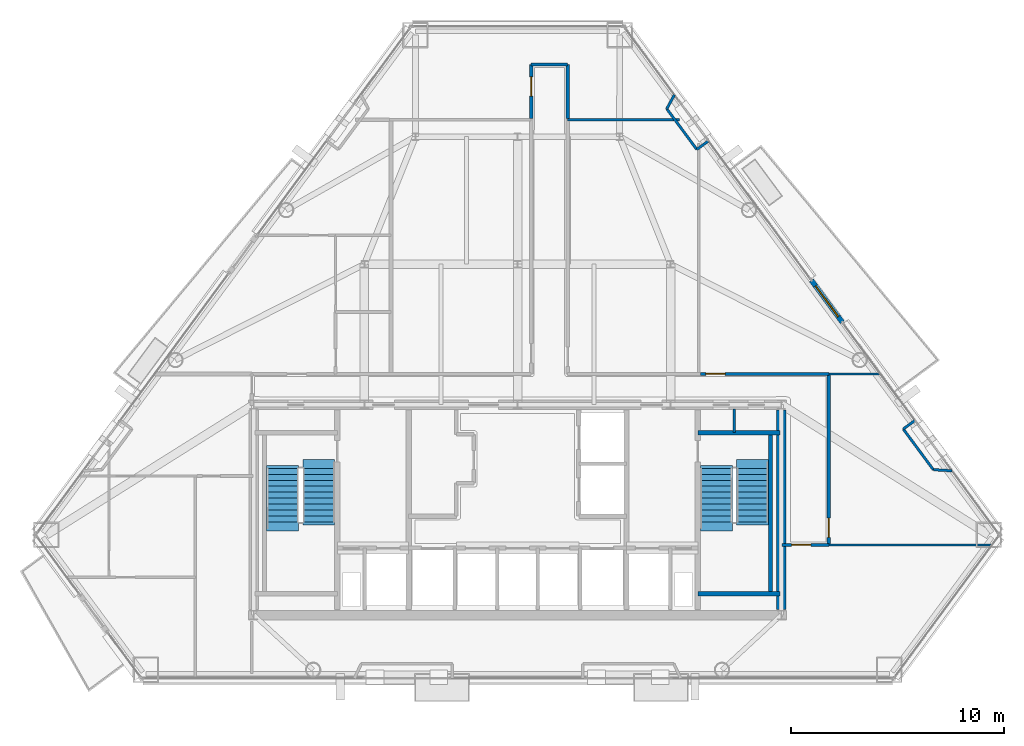
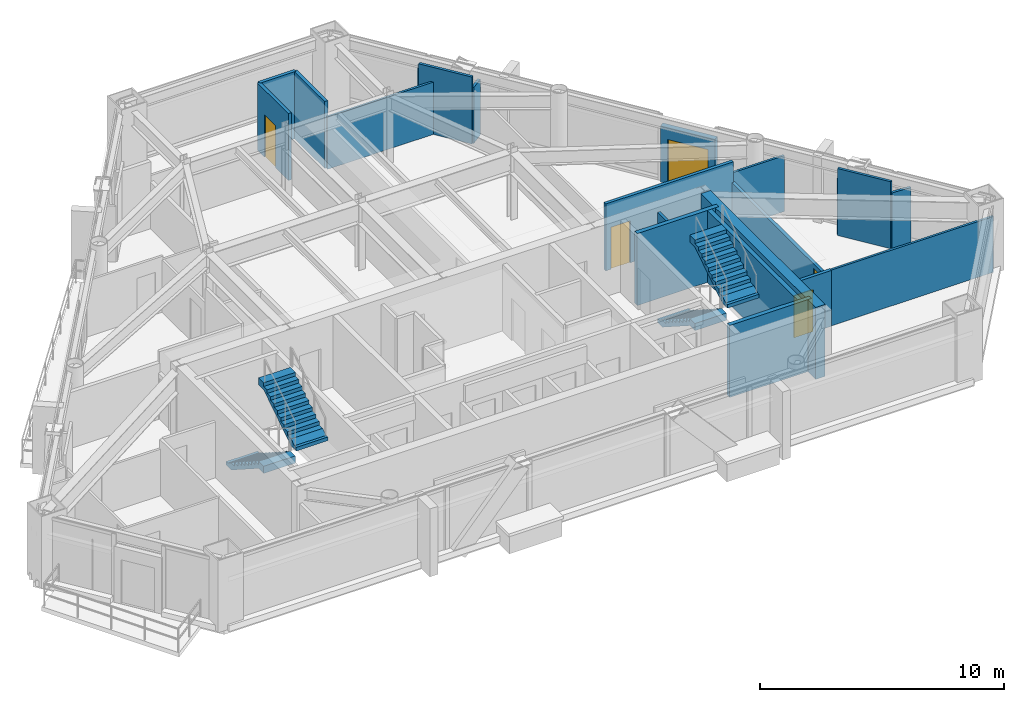
# One storey, part 9 of 11: 21 walls, 5 doors, 4 stair flights, 5 openings, 2 elements without a shape of their own.
"""IFC4 building model written with IfcOpenShell, lengths in metres."""

from ifc_helpers import new_model, si_unit, direction, frame, frame_2d, origin, place, context, subcontext, project, spatial, polyline, rectangle, outline, extrude, material, layer, layer_set, type_object, element, fill, aggregate, save


model = new_model("IFC4")

# Units and contexts
model_context = context("Model", 3, precision=1e-05, world=origin(), true_north=direction((0.0, 1.0)))
body_context = subcontext(model_context, "Body", "Model", "MODEL_VIEW")
ifc_project = project(units=[si_unit("LENGTHUNIT", "METRE"), si_unit("AREAUNIT", "SQUARE_METRE"), si_unit("VOLUMEUNIT", "CUBIC_METRE"), si_unit("PLANEANGLEUNIT", "RADIAN"), si_unit("MASSUNIT", "GRAM", prefix="KILO")], contexts=[model_context])

# Site, building, storey
site_placement = place(None, origin())
site = spatial("IfcSite", under=ifc_project, at=site_placement, CompositionType="ELEMENT")
building_placement = place(site_placement, origin())
building = spatial("IfcBuilding", under=site, at=building_placement, Name="Talgorran Terracotta Tower", CompositionType="ELEMENT")
storey_placement = place(building_placement, frame((0.0, 0.0, 143.699951171875)))
storey = spatial("IfcBuildingStorey", under=building, at=storey_placement, Name="L37", CompositionType="ELEMENT", Elevation=143.699951171875)

# Wall, opening, door
ifc_material_1 = material(Name="Concrete C40/50", Category="concrete")
ifc_layer_1 = layer(ifc_material_1, 0.239990234375, Name="WT_BALCONY_SPAND")
ifc_layer_set_1 = layer_set([ifc_layer_1], Name="Concrete C40/50")
wall_type_1 = type_object("IfcWallType", Name="WT_BALCONY_SPAND", PredefinedType="STANDARD", material=ifc_layer_set_1)
wall_1_placement = place(storey_placement, frame((15.27490234375, -0.323974609375, -0.014892578125), z_axis=(0.0, 0.0, 1.0), x_axis=(-0.594092829232, 0.804396488216, 0.0)))
wall_1 = element("IfcWall", 1, at=wall_1_placement, inside=storey, type_object=wall_type_1, Name="WL-L37-BALP-BAL-NE", PredefinedType="STANDARD", context=body_context, shape_type="SweptSolid", body=[
    extrude(rectangle(XDim=2.440185546875, YDim=0.239990234375, at=frame_2d((1.22021484375, 0.0))), origin(), (0.0, 0.0, 1.0), 2.806884765625),
])
opening_1_placement = place(wall_1_placement, frame((0.320068359375, 0.0, 0.014892578125)))
opening_1 = element("IfcOpeningElement", 2, at=opening_1_placement, cuts=wall_1, Name="Opening D-BAL-L37-1", PredefinedType="OPENING", context=body_context, shape_type="SweptSolid", body=[
    extrude(rectangle(XDim=1.806048828125, YDim=2.203951171875, at=frame_2d((0.89990234375, 1.10205078125))), frame((0.0, 0.1298828125, 0.0), z_axis=(0.0, -1.0, 0.0), x_axis=(1.0, 0.0, 0.0)), (0.0, 0.0, 1.0), 0.260009765625),
])
ifc_material_2 = material(Name="Thermally Broken Aluminium", Category="aluminium")
door_type_1 = type_object("IfcDoorType", Name="DT_BALC_1800", OperationType="SLIDING_TO_LEFT", PredefinedType="DOOR", material=ifc_material_2)
door_1_placement = place(opening_1_placement, origin())
door_1 = element("IfcDoor", 3, at=door_1_placement, inside=storey, type_object=door_type_1, Name="DR-L37-BAL-BAL-NE", OperationType="SLIDING_TO_LEFT", OverallHeight=2.199951171875, OverallWidth=1.800048828125, PredefinedType="DOOR", context=body_context, shape_type="SweptSolid", body=[
    extrude(rectangle(XDim=1.800048828125, YDim=2.199951171875, at=frame_2d((0.89990234375, 1.10009765625))), frame((0.0, 0.02490234375, 0.0), z_axis=(0.0, -1.0, 0.0), x_axis=(1.0, 0.0, 0.0)), (0.0, 0.0, 1.0), 0.050048828125),
])
fill(opening_1, door_1)

# Walls
ifc_material_3 = material(Name="Concrete C50/60", Category="concrete")
ifc_layer_2 = layer(ifc_material_3, 0.199951171875, Name="WT_CORE_200")
ifc_layer_set_2 = layer_set([ifc_layer_2], Name="Concrete C50/60")
wall_type_2 = type_object("IfcWallType", Name="WT_CORE_200", PredefinedType="SOLIDWALL", material=ifc_layer_set_2)
for number, where, z_axis, x_axis, name in (
    (4, (8.47998046875, -5.52001953125, 0.0), (0.0, 0.0, 1.0), (1.0, 0.0, 0.0), "WL-L37-CW-ST2-N"),
    (5, (8.47998046875, -13.10009765625, 0.0), (0.0, 0.0, 1.0), (1.0, 0.0, 0.0), "WL-L37-CW-ST2-S"),
):
    element("IfcWall", number, at=place(storey_placement, frame(where, z_axis=z_axis, x_axis=x_axis)), inside=storey, type_object=wall_type_2, Name=name, PredefinedType="SOLIDWALL", context=body_context, shape_type="SweptSolid", body=[
        extrude(rectangle(XDim=3.8701171875, YDim=0.199951171875, at=frame_2d((1.93505859375, 0.0))), origin(), (0.0, 0.0, 1.0), 3.60009765625),
    ])
wall_2_placement = place(storey_placement, frame((11.89990234375, -13.10009765625, 0.0), z_axis=(0.0, 0.0, 1.0), x_axis=(0.0, 1.0, 0.0)))
element("IfcWall", 6, at=wall_2_placement, inside=storey, type_object=wall_type_2, Name="WL-L37-CW-ST2-E", PredefinedType="SOLIDWALL", context=body_context, shape_type="SweptSolid", body=[
    extrude(rectangle(XDim=7.580078125, YDim=0.199951171875, at=frame_2d((3.7900390625, 0.0))), origin(), (0.0, 0.0, 1.0), 3.60009765625),
])
ifc_material_4 = material(Name="Concrete C65/80", Category="concrete")
ifc_layer_3 = layer(ifc_material_4, 0.449951171875, Name="WT_CORE_EXT")
ifc_layer_set_3 = layer_set([ifc_layer_3], Name="Concrete C65/80")
wall_type_3 = type_object("IfcWallType", Name="WT_CORE_EXT", PredefinedType="SHEAR", material=ifc_layer_set_3)
wall_3_placement = place(storey_placement, frame((12.39990234375, -13.85009765625, 0.0), z_axis=(0.0, 0.0, 1.0), x_axis=(0.0, 1.0, 0.0)))
element("IfcWall", 7, at=wall_3_placement, inside=storey, type_object=wall_type_3, Name="WL-L37-CW-OUT-E", PredefinedType="SHEAR", context=body_context, shape_type="SweptSolid", body=[
    extrude(rectangle(XDim=9.400146484375, YDim=0.449951171875, at=frame_2d((4.7001953125, 0.0))), origin(), (0.0, 0.0, 1.0), 3.60009765625),
])

# Wall, opening, door
ifc_material_5 = material(Name="Fire-Rated Steel Stud Plasterboard", Category="steel")
ifc_layer_4 = layer(ifc_material_5, 0.14990234375, Name="WT_FIRE_150")
ifc_layer_set_4 = layer_set([ifc_layer_4], Name="Fire-Rated Steel Stud Plasterboard")
wall_type_4 = type_object("IfcWallType", Name="WT_FIRE_150", PredefinedType="PARTITIONING", material=ifc_layer_set_4)
wall_4_placement = place(storey_placement, frame((14.639892578125, -10.800048828125, 0.0), z_axis=(0.0, 0.0, 1.0), x_axis=(0.0, 1.0, 0.0)))
wall_4 = element("IfcWall", 8, at=wall_4_placement, inside=storey, type_object=wall_type_4, Name="WL-L37-W-L37-R02", PredefinedType="PARTITIONING", context=body_context, shape_type="SweptSolid", body=[
    extrude(rectangle(XDim=8.0400390625, YDim=0.14990234375, at=frame_2d((4.02001953125, 0.0))), origin(), (0.0, 0.0, 1.0), 2.324951171875),
])
opening_2_placement = place(wall_4_placement, frame((0.359375, 0.0, 0.0)))
opening_2 = element("IfcOpeningElement", 9, at=opening_2_placement, cuts=wall_4, Name="Opening DR-L37-R05", PredefinedType="OPENING", context=body_context, shape_type="SweptSolid", body=[
    extrude(rectangle(XDim=0.90590234375, YDim=2.10409765625, at=frame_2d((0.449951171875, 1.052001953125))), frame((0.0, 0.0849609375, 0.0), z_axis=(0.0, -1.0, 0.0), x_axis=(1.0, 0.0, 0.0)), (0.0, 0.0, 1.0), 0.169921875),
])
ifc_material_6 = material(Name="Fire-Rated Timber Core", Category="wood")
door_type_2 = type_object("IfcDoorType", Name="DT_FIRE_900", OperationType="NOTDEFINED", PredefinedType="DOOR", material=ifc_material_6)
door_2_placement = place(opening_2_placement, origin())
door_2 = element("IfcDoor", 10, at=door_2_placement, inside=storey, type_object=door_type_2, Name="DR-L37-R05", OperationType="SINGLE_SWING_LEFT", OverallHeight=2.10009765625, OverallWidth=0.89990234375, PredefinedType="DOOR", context=body_context, shape_type="SweptSolid", body=[
    extrude(rectangle(XDim=0.89990234375, YDim=2.10009765625, at=frame_2d((0.449951171875, 1.050048828125))), frame((0.0, 0.02490234375, 0.0), z_axis=(0.0, -1.0, 0.0), x_axis=(1.0, 0.0, 0.0)), (0.0, 0.0, 1.0), 0.050048828125),
])
fill(opening_2, door_2)

wall_5_placement = place(storey_placement, frame((8.60205078125, -2.760009765625, 0.0), z_axis=(0.0, 0.0, 1.0), x_axis=(1.0, 0.0, 0.0)))
wall_5 = element("IfcWall", 11, at=wall_5_placement, inside=storey, type_object=wall_type_4, Name="WL-L37-W-L37-R13", PredefinedType="PARTITIONING", context=body_context, shape_type="SweptSolid", body=[
    extrude(rectangle(XDim=6.037841796875, YDim=0.14990234375, at=frame_2d((3.01904296875, 0.0))), origin(), (0.0, 0.0, 1.0), 3.35009765625),
])
opening_3_placement = place(wall_5_placement, frame((0.258056640625, 0.0, 0.0)))
opening_3 = element("IfcOpeningElement", 12, at=opening_3_placement, cuts=wall_5, Name="Opening DR-L37-R14", PredefinedType="OPENING", context=body_context, shape_type="SweptSolid", body=[
    extrude(rectangle(XDim=0.90590234375, YDim=2.10409765625, at=frame_2d((0.449951171875, 1.052001953125))), frame((0.0, 0.0849609375, 0.0), z_axis=(0.0, -1.0, 0.0), x_axis=(1.0, 0.0, 0.0)), (0.0, 0.0, 1.0), 0.169921875),
])
door_3_placement = place(opening_3_placement, origin())
door_3 = element("IfcDoor", 13, at=door_3_placement, inside=storey, type_object=door_type_2, Name="DR-L37-R14", OperationType="SINGLE_SWING_RIGHT", OverallHeight=2.10009765625, OverallWidth=0.89990234375, PredefinedType="DOOR", context=body_context, shape_type="SweptSolid", body=[
    extrude(rectangle(XDim=0.89990234375, YDim=2.10009765625, at=frame_2d((0.449951171875, 1.050048828125))), frame((0.0, 0.02490234375, 0.0), z_axis=(0.0, -1.0, 0.0), x_axis=(1.0, 0.0, 0.0)), (0.0, 0.0, 1.0), 0.050048828125),
])
fill(opening_3, door_3)

wall_6_placement = place(storey_placement, frame((0.639892578125, 9.261962890625, 0.0), z_axis=(0.0, 0.0, 1.0), x_axis=(0.0, 1.0, 0.0)))
wall_6 = element("IfcWall", 14, at=wall_6_placement, inside=storey, type_object=wall_type_4, Name="WL-L37-W-L37-R04", PredefinedType="PARTITIONING", context=body_context, shape_type="SweptSolid", body=[
    extrude(rectangle(XDim=2.5380859375, YDim=0.14990234375, at=frame_2d((1.26904296875, 0.0))), origin(), (0.0, 0.0, 1.0), 3.35009765625),
])
opening_4_placement = place(wall_6_placement, frame((1.05029296875, 0.0, 0.0)))
opening_4 = element("IfcOpeningElement", 15, at=opening_4_placement, cuts=wall_6, Name="Opening DR-L37-R07", PredefinedType="OPENING", context=body_context, shape_type="SweptSolid", body=[
    extrude(rectangle(XDim=0.90590234375, YDim=2.10409765625, at=frame_2d((0.449951171875, 1.052001953125))), frame((0.0, 0.0849609375, 0.0), z_axis=(0.0, -1.0, 0.0), x_axis=(1.0, 0.0, 0.0)), (0.0, 0.0, 1.0), 0.169921875),
])
door_4_placement = place(opening_4_placement, origin())
door_4 = element("IfcDoor", 16, at=door_4_placement, inside=storey, type_object=door_type_2, Name="DR-L37-R07", OperationType="SINGLE_SWING_LEFT", OverallHeight=2.10009765625, OverallWidth=0.89990234375, PredefinedType="DOOR", context=body_context, shape_type="SweptSolid", body=[
    extrude(rectangle(XDim=0.89990234375, YDim=2.10009765625, at=frame_2d((0.449951171875, 1.050048828125))), frame((0.0, 0.02490234375, 0.0), z_axis=(0.0, -1.0, 0.0), x_axis=(1.0, 0.0, 0.0)), (0.0, 0.0, 1.0), 0.050048828125),
])
fill(opening_4, door_4)

# Wall
wall_7_placement = place(storey_placement, frame((2.360107421875, 9.261962890625, 0.0), z_axis=(0.0, 0.0, 1.0), x_axis=(0.0, 1.0, 0.0)))
element("IfcWall", 17, at=wall_7_placement, inside=storey, type_object=wall_type_4, Name="WL-L37-W-L37-R06", PredefinedType="PARTITIONING", context=body_context, shape_type="SweptSolid", body=[
    extrude(rectangle(XDim=2.5380859375, YDim=0.14990234375, at=frame_2d((1.26904296875, 0.0))), origin(), (0.0, 0.0, 1.0), 3.35009765625),
])

# Wall, opening, door
wall_8_placement = place(storey_placement, frame((12.43994140625, -10.800048828125, 0.0), z_axis=(0.0, 0.0, 1.0), x_axis=(1.0, 0.0, 0.0)))
wall_8 = element("IfcWall", 18, at=wall_8_placement, inside=storey, type_object=wall_type_4, Name="WL-L37-W-L37-R03", PredefinedType="PARTITIONING", context=body_context, shape_type="SweptSolid", body=[
    extrude(rectangle(XDim=2.199951171875, YDim=0.14990234375, at=frame_2d((1.10009765625, 0.0))), origin(), (0.0, 0.0, 1.0), 2.7919921875),
])
opening_5_placement = place(wall_8_placement, frame((0.456298828125, 0.0, 0.0)))
opening_5 = element("IfcOpeningElement", 19, at=opening_5_placement, cuts=wall_8, Name="Opening DR-L37-R06", PredefinedType="OPENING", context=body_context, shape_type="SweptSolid", body=[
    extrude(rectangle(XDim=0.90590234375, YDim=2.10409765625, at=frame_2d((0.449951171875, 1.052001953125))), frame((0.0, 0.0849609375, 0.0), z_axis=(0.0, -1.0, 0.0), x_axis=(1.0, 0.0, 0.0)), (0.0, 0.0, 1.0), 0.169921875),
])
door_5_placement = place(opening_5_placement, origin())
door_5 = element("IfcDoor", 20, at=door_5_placement, inside=storey, type_object=door_type_2, Name="DR-L37-R06", OperationType="SINGLE_SWING_RIGHT", OverallHeight=2.10009765625, OverallWidth=0.89990234375, PredefinedType="DOOR", context=body_context, shape_type="SweptSolid", body=[
    extrude(rectangle(XDim=0.89990234375, YDim=2.10009765625, at=frame_2d((0.449951171875, 1.050048828125))), frame((0.0, 0.02490234375, 0.0), z_axis=(0.0, -1.0, 0.0), x_axis=(1.0, 0.0, 0.0)), (0.0, 0.0, 1.0), 0.050048828125),
])
fill(opening_5, door_5)

# Walls
wall_9_placement = place(storey_placement, frame((0.639892578125, 11.800048828125, 0.0), z_axis=(0.0, 0.0, 1.0), x_axis=(1.0, 0.0, 0.0)))
element("IfcWall", 21, at=wall_9_placement, inside=storey, type_object=wall_type_4, Name="WL-L37-W-L37-R05", PredefinedType="PARTITIONING", context=body_context, shape_type="SweptSolid", body=[
    extrude(rectangle(XDim=1.72021484375, YDim=0.14990234375, at=frame_2d((0.860107421875, 0.0))), origin(), (0.0, 0.0, 1.0), 3.35009765625),
])
ifc_material_7 = material(Name="Lightweight Steel Stud Partition", Category="steel")
ifc_layer_5 = layer(ifc_material_7, 0.10498046875, Name="WT_PART_110")
ifc_layer_set_5 = layer_set([ifc_layer_5], Name="Lightweight Steel Stud Partition")
wall_type_5 = type_object("IfcWallType", Name="WT_PART_110", PredefinedType="PARTITIONING", material=ifc_layer_set_5)
wall_10_placement = place(storey_placement, frame((14.639892578125, -10.800048828125, 0.0), z_axis=(0.0, 0.0, 1.0), x_axis=(1.0, 0.0, 0.0)))
element("IfcWall", 22, at=wall_10_placement, inside=storey, type_object=wall_type_5, Name="WL-L37-W-L37-R22", PredefinedType="PARTITIONING", context=body_context, shape_type="SweptSolid", body=[
    extrude(rectangle(XDim=7.679443359375, YDim=0.10498046875, at=frame_2d((3.83984375, 0.0))), origin(), (0.0, 0.0, 1.0), 2.7919921875),
])
wall_11_placement = place(storey_placement, frame((2.360107421875, 9.199951171875, 0.0), z_axis=(0.0, 0.0, 1.0), x_axis=(1.0, 0.0, 0.0)))
element("IfcWall", 23, at=wall_11_placement, inside=storey, type_object=wall_type_5, Name="WL-L37-W-L37-R26", PredefinedType="PARTITIONING", context=body_context, shape_type="SweptSolid", body=[
    extrude(rectangle(XDim=5.260009765625, YDim=0.10498046875, at=frame_2d((2.6298828125, 0.0))), origin(), (0.0, 0.0, 1.0), 2.616943359375),
])
wall_12_placement = place(storey_placement, frame((14.639892578125, -2.760009765625, 0.0), z_axis=(0.0, 0.0, 1.0), x_axis=(1.0, 0.0, 0.0)))
element("IfcWall", 24, at=wall_12_placement, inside=storey, type_object=wall_type_5, Name="WL-L37-W-L37-R23", PredefinedType="PARTITIONING", context=body_context, shape_type="SweptSolid", body=[
    extrude(rectangle(XDim=2.43408203125, YDim=0.10498046875, at=frame_2d((1.217041015625, 0.0))), origin(), (0.0, 0.0, 1.0), 2.7919921875),
])
ifc_material_8 = material(Name="Insulated Steel Stud Plasterboard", Category="steel")
ifc_layer_6 = layer(ifc_material_8, 0.1201171875, Name="WT_PART_120")
ifc_layer_set_6 = layer_set([ifc_layer_6], Name="Insulated Steel Stud Plasterboard")
wall_type_6 = type_object("IfcWallType", Name="WT_PART_120", PredefinedType="PARTITIONING", material=ifc_layer_set_6)
wall_13_placement = place(storey_placement, frame((10.199951171875, -5.52001953125, 0.0), z_axis=(0.0, 0.0, 1.0), x_axis=(0.0, 1.0, 0.0)))
element("IfcWall", 25, at=wall_13_placement, inside=storey, type_object=wall_type_6, Name="WL-L37-CW-CSE-DIV", PredefinedType="PARTITIONING", context=body_context, shape_type="SweptSolid", body=[
    extrude(rectangle(XDim=1.1201171875, YDim=0.1201171875, at=frame_2d((0.56005859375, 0.0))), origin(), (0.0, 0.0, 1.0), 3.35009765625),
])
for number, where, z_axis, x_axis, name in (
    (26, (8.431884765625, 7.797607421875, 0.0), (0.0, 0.0, 1.0), (-0.594168747529, 0.804340412674, 0.0), "WL-L37-BW-L37-18"),
    (27, (19.55517578125, -7.263916015625, 0.0), (0.0, 0.0, 1.0), (-0.594168747529, 0.804340412674, 0.0), "WL-L37-BW-L37-13"),
):
    element("IfcWall", number, at=place(storey_placement, frame(where, z_axis=z_axis, x_axis=x_axis)), inside=storey, type_object=wall_type_6, Name=name, PredefinedType="PARTITIONING", context=body_context, shape_type="SweptSolid", body=[
        extrude(rectangle(XDim=2.3779296875, YDim=0.1201171875, at=frame_2d((1.18896484375, 0.0))), origin(), (0.0, 0.0, 1.0), 3.35009765625),
    ])
wall_14_placement = place(storey_placement, frame((20.4248046875, -7.314208984375, 0.0), z_axis=(0.0, 0.0, 1.0), x_axis=(-0.998331873932, 0.057736206072, 0.0)))
element("IfcWall", 28, at=wall_14_placement, inside=storey, type_object=wall_type_6, Name="WL-L37-BW-L37-12", PredefinedType="PARTITIONING", context=body_context, shape_type="SweptSolid", body=[
    extrude(rectangle(XDim=0.87109375, YDim=0.1201171875, at=frame_2d((0.435546875, 0.0))), origin(), (0.0, 0.0, 1.0), 2.7919921875),
])
wall_15_placement = place(storey_placement, frame((7.01904296875, 9.710205078125, 0.0), z_axis=(0.0, 0.0, 1.0), x_axis=(0.476400054493, 0.879228632427, 0.0)))
element("IfcWall", 29, at=wall_15_placement, inside=storey, type_object=wall_type_6, Name="WL-L37-BW-L37-19", PredefinedType="PARTITIONING", context=body_context, shape_type="SweptSolid", body=[
    extrude(rectangle(XDim=0.739990234375, YDim=0.1201171875, at=frame_2d((0.3701171875, 0.0))), origin(), (0.0, 0.0, 1.0), 2.7919921875),
])
for number, where, z_axis, x_axis, name in (
    (30, (18.142333984375, -5.351318359375, 0.0), (0.0, 0.0, 1.0), (0.804221577226, 0.594329584257, 0.0), "WL-L37-BW-L37-11"),
    (31, (8.970703125, 8.195556640625, 0.0), (0.0, 0.0, 1.0), (-0.804395751644, -0.594093826543, 0.0), "WL-L37-BW-L37-17"),
):
    element("IfcWall", number, at=place(storey_placement, frame(where, z_axis=z_axis, x_axis=x_axis)), inside=storey, type_object=wall_type_6, Name=name, PredefinedType="PARTITIONING", context=body_context, shape_type="SweptSolid", body=[
        extrude(rectangle(XDim=0.669921875, YDim=0.1201171875, at=frame_2d((0.3349609375, 0.0))), origin(), (0.0, 0.0, 1.0), 2.7919921875),
    ])

# Stair, stair flights
stair_type = type_object("IfcStairType", Name="ST_FIRE_SCISSOR", PredefinedType="HALF_TURN_STAIR", material=ifc_material_1)
stair_1_placement = place(storey_placement, origin())
stair_1 = element("IfcStair", 32, at=stair_1_placement, inside=storey, type_object=stair_type, Name="L37 West Protected Fire Stair ST-01", PredefinedType="HALF_TURN_STAIR")
ifc_layer_7 = layer(ifc_material_1, 0.179931640625, Name="STF_RC_1500")
ifc_layer_set_7 = layer_set([ifc_layer_7], Name="Concrete C40/50")
stair_flight_type = type_object("IfcStairFlightType", Name="STF_RC_1500", PredefinedType="STRAIGHT", material=ifc_layer_set_7)
stair_flight_1_placement = place(storey_placement, frame((-11.050048828125, -7.199951171875, 0.0), z_axis=(0.0, 0.0, 1.0), x_axis=(0.0, -1.0, 0.0)))
stair_flight_1 = element("IfcStairFlight", 33, at=stair_flight_1_placement, type_object=stair_flight_type, Name="ST-01 flight 1", NumberOfRisers=10, NumberOfTreads=9, PredefinedType="STRAIGHT", RiserHeight=0.18, TreadLength=0.28, context=body_context, shape_type="SweptSolid", body=[
    extrude(outline(polyline([(-0.139892578125, 0.0), (-0.139892578125, 0.179931640625), (0.0, 0.179931640625), (0.280029296875, 0.360107421875), (0.56005859375, 0.360107421875), (0.56005859375, 0.5400390625), (0.840087890625, 0.5400390625), (0.840087890625, 0.719970703125), (1.1201171875, 0.719970703125), (1.1201171875, 0.89990234375), (1.39990234375, 0.89990234375), (1.39990234375, 1.080078125), (1.679931640625, 1.080078125), (1.679931640625, 1.260009765625), (1.9599609375, 1.260009765625), (1.9599609375, 1.43994140625), (2.239990234375, 1.43994140625), (2.239990234375, 1.6201171875), (2.52001953125, 1.6201171875), (2.52001953125, 1.800048828125), (2.93994140625, 1.800048828125), (2.93994140625, 1.44189453125), (2.52001953125, 1.44189453125), (0.277099609375, 0.0), (-0.139892578125, 0.0)])), frame((0.0, 0.75, 0.0), z_axis=(0.0, -1.0, 0.0), x_axis=(1.0, 0.0, 0.0)), (0.0, 0.0, 1.0), 1.5),
])
stair_flight_2_placement = place(storey_placement, frame((-9.35009765625, -9.719970703125, 1.800048828125), z_axis=(0.0, 0.0, 1.0), x_axis=(0.0, 1.0, 0.0)))
stair_flight_2 = element("IfcStairFlight", 34, at=stair_flight_2_placement, type_object=stair_flight_type, Name="ST-01 flight 2", NumberOfRisers=10, NumberOfTreads=9, PredefinedType="STRAIGHT", RiserHeight=0.18, TreadLength=0.28, context=body_context, shape_type="SweptSolid", body=[
    extrude(outline(polyline([(-0.139892578125, 0.0), (-0.139892578125, 0.179931640625), (0.0, 0.179931640625), (0.280029296875, 0.360107421875), (0.56005859375, 0.360107421875), (0.56005859375, 0.5400390625), (0.840087890625, 0.5400390625), (0.840087890625, 0.719970703125), (1.1201171875, 0.719970703125), (1.1201171875, 0.89990234375), (1.39990234375, 0.89990234375), (1.39990234375, 1.080078125), (1.679931640625, 1.080078125), (1.679931640625, 1.260009765625), (1.9599609375, 1.260009765625), (1.9599609375, 1.43994140625), (2.239990234375, 1.43994140625), (2.239990234375, 1.6201171875), (2.52001953125, 1.6201171875), (2.52001953125, 1.800048828125), (2.93994140625, 1.800048828125), (2.93994140625, 1.44189453125), (2.52001953125, 1.44189453125), (0.277099609375, 0.0), (-0.139892578125, 0.0)])), frame((0.0, 0.75, 0.0), z_axis=(0.0, -1.0, 0.0), x_axis=(1.0, 0.0, 0.0)), (0.0, 0.0, 1.0), 1.5),
])
aggregate(stair_1, [stair_flight_1, stair_flight_2])

stair_2_placement = place(storey_placement, origin())
stair_2 = element("IfcStair", 35, at=stair_2_placement, inside=storey, type_object=stair_type, Name="L37 East Protected Fire Stair ST-02", PredefinedType="HALF_TURN_STAIR")
stair_flight_3_placement = place(storey_placement, frame((9.35009765625, -7.199951171875, 0.0), z_axis=(0.0, 0.0, 1.0), x_axis=(0.0, -1.0, 0.0)))
stair_flight_3 = element("IfcStairFlight", 36, at=stair_flight_3_placement, type_object=stair_flight_type, Name="ST-02 flight 1", NumberOfRisers=10, NumberOfTreads=9, PredefinedType="STRAIGHT", RiserHeight=0.18, TreadLength=0.28, context=body_context, shape_type="SweptSolid", body=[
    extrude(outline(polyline([(-0.139892578125, 0.0), (-0.139892578125, 0.179931640625), (0.0, 0.179931640625), (0.280029296875, 0.360107421875), (0.56005859375, 0.360107421875), (0.56005859375, 0.5400390625), (0.840087890625, 0.5400390625), (0.840087890625, 0.719970703125), (1.1201171875, 0.719970703125), (1.1201171875, 0.89990234375), (1.39990234375, 0.89990234375), (1.39990234375, 1.080078125), (1.679931640625, 1.080078125), (1.679931640625, 1.260009765625), (1.9599609375, 1.260009765625), (1.9599609375, 1.43994140625), (2.239990234375, 1.43994140625), (2.239990234375, 1.6201171875), (2.52001953125, 1.6201171875), (2.52001953125, 1.800048828125), (2.93994140625, 1.800048828125), (2.93994140625, 1.44189453125), (2.52001953125, 1.44189453125), (0.277099609375, 0.0), (-0.139892578125, 0.0)])), frame((0.0, 0.75, 0.0), z_axis=(0.0, -1.0, 0.0), x_axis=(1.0, 0.0, 0.0)), (0.0, 0.0, 1.0), 1.5),
])
stair_flight_4_placement = place(storey_placement, frame((11.050048828125, -9.719970703125, 1.800048828125), z_axis=(0.0, 0.0, 1.0), x_axis=(0.0, 1.0, 0.0)))
stair_flight_4 = element("IfcStairFlight", 37, at=stair_flight_4_placement, type_object=stair_flight_type, Name="ST-02 flight 2", NumberOfRisers=10, NumberOfTreads=9, PredefinedType="STRAIGHT", RiserHeight=0.18, TreadLength=0.28, context=body_context, shape_type="SweptSolid", body=[
    extrude(outline(polyline([(-0.139892578125, 0.0), (-0.139892578125, 0.179931640625), (0.0, 0.179931640625), (0.280029296875, 0.360107421875), (0.56005859375, 0.360107421875), (0.56005859375, 0.5400390625), (0.840087890625, 0.5400390625), (0.840087890625, 0.719970703125), (1.1201171875, 0.719970703125), (1.1201171875, 0.89990234375), (1.39990234375, 0.89990234375), (1.39990234375, 1.080078125), (1.679931640625, 1.080078125), (1.679931640625, 1.260009765625), (1.9599609375, 1.260009765625), (1.9599609375, 1.43994140625), (2.239990234375, 1.43994140625), (2.239990234375, 1.6201171875), (2.52001953125, 1.6201171875), (2.52001953125, 1.800048828125), (2.93994140625, 1.800048828125), (2.93994140625, 1.44189453125), (2.52001953125, 1.44189453125), (0.277099609375, 0.0), (-0.139892578125, 0.0)])), frame((0.0, 0.75, 0.0), z_axis=(0.0, -1.0, 0.0), x_axis=(1.0, 0.0, 0.0)), (0.0, 0.0, 1.0), 1.5),
])
aggregate(stair_2, [stair_flight_3, stair_flight_4])

save(model, "model.ifc")
